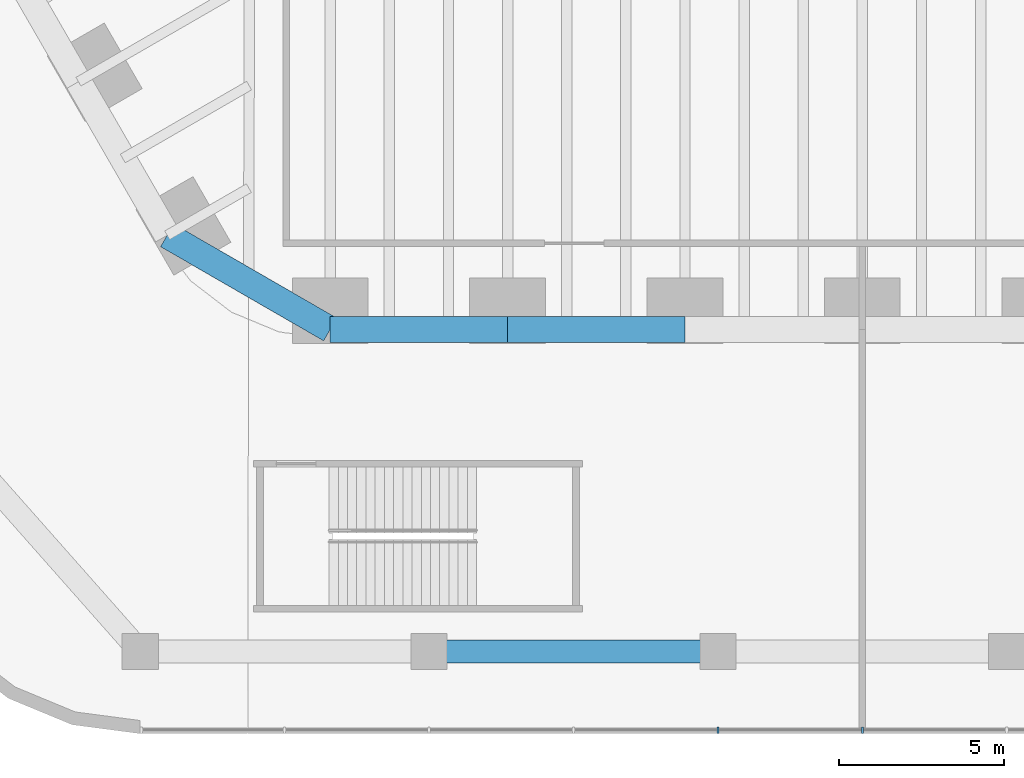
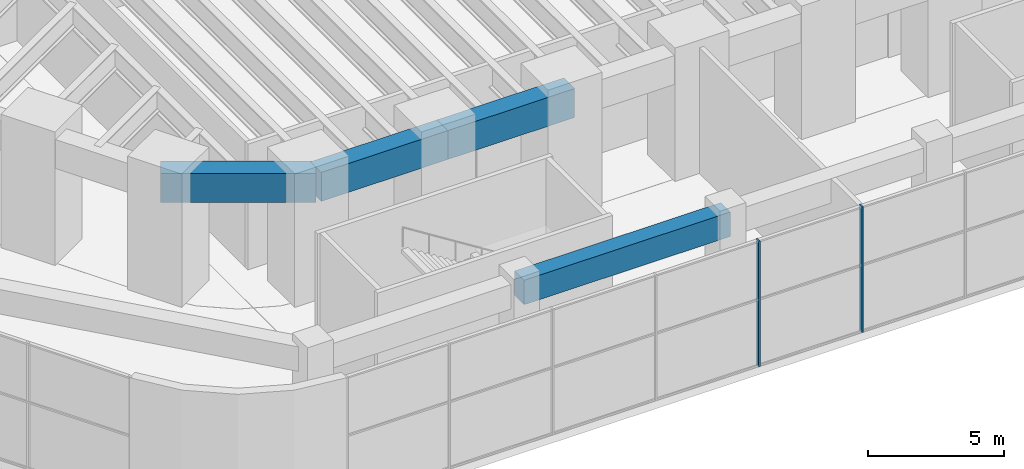
# One storey, part 5 of 31: 4 beams, 2 members, 1 element without a shape of its own.
"""IFC4 building model written with IfcOpenShell, lengths in metres."""

import ifcopenshell
import ifcopenshell.guid

model = None  # the IFC model being written
_history = None  # IfcOwnerHistory: only IFC2X3 demands one
_inside = {}  # id of a spatial element -> (the spatial element, [elements in it])
_under = {}  # id of a project, library or spatial element -> (it, [spatial elements below it])
_declared = {}  # id of a project -> (the project, [libraries it declares])
_typed = {}  # id of a type object -> (the type object, [elements of that type])
_made_of = {}  # id of a material, layer set ... -> (it, [elements and type objects made of it])


def new_model(schema):
    """Start an empty IFC model of exactly this schema.

    Asked for "IFC4X3", IfcOpenShell would pick the latest addendum, in which some entities
    have other attributes; the version numbers below select the first issue.
    IFC2X3 requires an IfcOwnerHistory on every rooted entity: one is made here for all.
    """
    global model, _history
    if schema == "IFC4X3":
        model = ifcopenshell.file(schema_version=(4, 3, 0, 0))
    else:
        model = ifcopenshell.file(schema=schema)
    _inside.clear()
    _under.clear()
    _declared.clear()
    _typed.clear()
    _made_of.clear()
    _history = None
    if model.schema == "IFC2X3":
        org = make("IfcOrganization", Name="unknown")
        user = make(
            "IfcPersonAndOrganization",
            ThePerson=make("IfcPerson", FamilyName="unknown"),
            TheOrganization=org,
        )
        app = make(
            "IfcApplication",
            ApplicationDeveloper=org,
            Version="unknown",
            ApplicationFullName="unknown",
            ApplicationIdentifier="unknown",
        )
        _history = make(
            "IfcOwnerHistory",
            OwningUser=user,
            OwningApplication=app,
            ChangeAction="ADDED",
            CreationDate=0,
        )
    return model


def make(cls, **values):
    """One entity of the class cls with the attributes given. An attribute that is None is left unset."""
    return model.create_entity(
        cls, **{name: value for name, value in values.items() if value is not None}
    )


def rooted(cls, **values):
    """An entity with a GlobalId (a new one), such as an element, a storey or a relation."""
    return make(cls, GlobalId=ifcopenshell.guid.new(), OwnerHistory=_history, **values)


def si_unit(unit_type, name, prefix=None):
    """IfcSIUnit, for example si_unit("LENGTHUNIT", "METRE", prefix="MILLI")."""
    return make("IfcSIUnit", UnitType=unit_type, Prefix=prefix, Name=name)


def assignment(units):
    """IfcUnitAssignment: the units of a project."""
    return None if units is None else make("IfcUnitAssignment", Units=units)


def point(xyz):
    """IfcCartesianPoint."""
    return None if xyz is None else make("IfcCartesianPoint", Coordinates=xyz)


def direction(xyz):
    """IfcDirection."""
    return None if xyz is None else make("IfcDirection", DirectionRatios=xyz)


def frame(location, z_axis=None, x_axis=None):
    """IfcAxis2Placement3D, a coordinate frame: its origin and axes. An axis left out is left unset."""
    return make(
        "IfcAxis2Placement3D",
        Location=point(location),
        Axis=direction(z_axis),
        RefDirection=direction(x_axis),
    )


def frame_2d(location, x_axis=None):
    """IfcAxis2Placement2D, a coordinate frame in the plane: its origin and x axis."""
    return make(
        "IfcAxis2Placement2D", Location=point(location), RefDirection=direction(x_axis)
    )


def origin():
    """The frame at (0, 0, 0) with its axes left unset."""
    return frame((0.0, 0.0, 0.0))


def origin_2d():
    """The frame at (0, 0) in the plane with its x axis left unset."""
    return frame_2d((0.0, 0.0))


def place(relative_to, where):
    """IfcLocalPlacement: puts the frame where relative to a parent placement (None: the world)."""
    return make(
        "IfcLocalPlacement", PlacementRelTo=relative_to, RelativePlacement=where
    )


def context(
    kind, dimensions, precision=None, world=None, true_north=None, identifier=None
):
    """IfcGeometricRepresentationContext, for example the 3D "Model" context."""
    return make(
        "IfcGeometricRepresentationContext",
        ContextIdentifier=identifier,
        ContextType=kind,
        CoordinateSpaceDimension=dimensions,
        Precision=precision,
        WorldCoordinateSystem=world,
        TrueNorth=true_north,
    )


def subcontext(parent, identifier, kind, view, scale=None):
    """IfcGeometricRepresentationSubContext, for example "Body" below "Model"."""
    return make(
        "IfcGeometricRepresentationSubContext",
        ContextIdentifier=identifier,
        ContextType=kind,
        ParentContext=parent,
        TargetScale=scale,
        TargetView=view,
    )


def project(units=None, contexts=None):
    """IfcProject with its units and contexts."""
    return rooted(
        "IfcProject",
        Name="project",
        RepresentationContexts=contexts,
        UnitsInContext=assignment(units),
    )


def spatial(cls, under=None, at=None, **own):
    """A site, building, storey or space (cls), placed at a placement, below another one or the project."""
    s = rooted(cls, ObjectPlacement=at, **own)
    if under is not None:
        _under.setdefault(under.id(), (under, []))[1].append(s)
    return s


def profile(cls, at=None, kind="AREA", **sizes):
    """A parametric profile (cls). Its sizes go by their IFC names, for example OverallWidth=200.0."""
    return make(cls, ProfileType=kind, Position=at, **sizes)


def rectangle(**sizes):
    """IfcRectangleProfileDef."""
    return profile("IfcRectangleProfileDef", **sizes)


def extrude(swept, where, along, depth):
    """IfcExtrudedAreaSolid: the profile swept, set in the frame where, extruded along a direction by depth."""
    return make(
        "IfcExtrudedAreaSolid",
        SweptArea=swept,
        Position=where,
        ExtrudedDirection=direction(along),
        Depth=depth,
    )


def shape(context_of_items, identifier, shape_type, items):
    """IfcShapeRepresentation: the items that make up one representation, for example the "Body"."""
    return make(
        "IfcShapeRepresentation",
        ContextOfItems=context_of_items,
        RepresentationIdentifier=identifier,
        RepresentationType=shape_type,
        Items=items,
    )


def material(Name=None, Category=None):
    """IfcMaterial."""
    return make("IfcMaterial", Name=Name, Category=Category)


def material_profile(
    of_material, cross_section, Name=None, Category=None, Priority=None
):
    """IfcMaterialProfile: a cross section and its material."""
    return make(
        "IfcMaterialProfile",
        Name=Name,
        Material=of_material,
        Profile=cross_section,
        Priority=Priority,
        Category=Category,
    )


def profile_set(profiles, Name=None, composite=None):
    """IfcMaterialProfileSet."""
    return make(
        "IfcMaterialProfileSet",
        Name=Name,
        MaterialProfiles=profiles,
        CompositeProfile=composite,
    )


def made_of(thing, what):
    """Note that an element or type object is made of a material, layer set ...; save() writes the relation."""
    if what is not None:
        _made_of.setdefault(what.id(), (what, []))[1].append(thing)
    return thing


def type_object(cls, material=None, **own):
    """A type object (cls), such as IfcWallType, which elements share."""
    return made_of(rooted(cls, **own), material)


def element(
    cls,
    number,
    at=None,
    inside=None,
    cuts=None,
    type_object=None,
    material=None,
    context=None,
    identifier="Body",
    shape_type=None,
    held_by="IfcProductDefinitionShape",
    body=None,
    shapes=None,
    **own,
):
    """One element of the class cls, such as IfcWall. Its Tag is "e" and its number.

    at: its placement. inside: the storey or other place that contains it. cuts: it is an
    opening in that element (IfcRelVoidsElement). A single representation is given by context,
    identifier, shape_type and body (its items); several are given by shapes. held_by: the class
    of the entity that holds the representations. save() writes the other relations.
    """
    e = rooted(cls, Tag="e%d" % number, ObjectPlacement=at, **own)
    if body is not None:
        shapes = [shape(context, identifier, shape_type, body)]
    if shapes is not None:
        e.Representation = make(held_by, Representations=shapes)
    if inside is not None:
        _inside.setdefault(inside.id(), (inside, []))[1].append(e)
    if cuts is not None:
        rooted(
            "IfcRelVoidsElement", RelatingBuildingElement=cuts, RelatedOpeningElement=e
        )
    if type_object is not None:
        _typed.setdefault(type_object.id(), (type_object, []))[1].append(e)
    return made_of(e, material)


def aggregate(whole, parts):
    """IfcRelAggregates: a whole, such as a stair, and the parts it consists of."""
    return rooted("IfcRelAggregates", RelatingObject=whole, RelatedObjects=parts)


def save(model, path):
    """Write the relations noted so far, then the file.

    IfcRelAggregates (storeys below a building ...), IfcRelContainedInSpatialStructure (elements
    in a storey), IfcRelDefinesByType, IfcRelAssociatesMaterial and IfcRelDeclares: one each for
    every whole, place, type object, material and project.
    """
    for whole, parts in _under.values():
        aggregate(whole, parts)
    for where, things in _inside.values():
        rooted(
            "IfcRelContainedInSpatialStructure",
            RelatedElements=things,
            RelatingStructure=where,
        )
    for kind, things in _typed.values():
        rooted("IfcRelDefinesByType", RelatedObjects=things, RelatingType=kind)
    for what, things in _made_of.values():
        rooted("IfcRelAssociatesMaterial", RelatedObjects=things, RelatingMaterial=what)
    for by, libraries in _declared.values():
        rooted("IfcRelDeclares", RelatingContext=by, RelatedDefinitions=libraries)
    model.write(path)


model = new_model("IFC4")

# Units and contexts
model_context = context("Model", 3, precision=1e-05, world=origin(), true_north=direction((0.0, 1.0)))
body_context = subcontext(model_context, "Body", "Model", "MODEL_VIEW")
ifc_project = project(units=[si_unit("LENGTHUNIT", "METRE"), si_unit("AREAUNIT", "SQUARE_METRE"), si_unit("VOLUMEUNIT", "CUBIC_METRE"), si_unit("PLANEANGLEUNIT", "RADIAN"), si_unit("MASSUNIT", "GRAM", prefix="KILO")], contexts=[model_context])

# Site, building, storey
site_placement = place(None, origin())
site = spatial("IfcSite", under=ifc_project, at=site_placement, CompositionType="ELEMENT")
building_placement = place(site_placement, origin())
building = spatial("IfcBuilding", under=site, at=building_placement, Name="Tarfa Lantern Tower", CompositionType="ELEMENT")
storey_placement = place(building_placement, frame((0.0, 0.0, 7.0)))
storey = spatial("IfcBuildingStorey", under=building, at=storey_placement, Name="L01", CompositionType="ELEMENT", Elevation=7.0)

# Curtain wall, members
ifc_material_1 = material(Name="Aluminium framed curtain wall", Category="aluminium")
curtain_wall_type = type_object("IfcCurtainWallType", Name="CW7 PODIUM GLAZING 5650", PredefinedType="USERDEFINED", material=ifc_material_1)
curtain_wall_placement = place(storey_placement, origin())
curtain_wall = element("IfcCurtainWall", 1, at=curtain_wall_placement, inside=storey, type_object=curtain_wall_type, Name="CW7 S L01", ObjectType="CURTAIN WALL", PredefinedType="USERDEFINED")
ifc_material_2 = material(Name="Aluminium mullion", Category="aluminium")
ifc_material_profile_1 = material_profile(ifc_material_2, rectangle(XDim=0.06494140625, YDim=0.199951171875, at=origin_2d()), Name="AL MULLION 65x200")
ifc_profile_set_1 = profile_set([ifc_material_profile_1], Name="Aluminium mullion")
member_type = type_object("IfcMemberType", Name="CWM1 MULLION 65x200", PredefinedType="MULLION", material=ifc_profile_set_1)
member_1_placement = place(storey_placement, frame((-4.387939453125, -45.89990234375, 0.0), z_axis=(0.0, 0.0, 1.0), x_axis=(1.0, 0.0, 0.0)))
member_1 = element("IfcMember", 2, at=member_1_placement, type_object=member_type, Name="CW7 mullion 5", PredefinedType="MULLION", context=body_context, shape_type="SweptSolid", body=[
    extrude(rectangle(XDim=0.06494140625, YDim=0.199951171875, at=origin_2d()), origin(), (0.0, 0.0, 1.0), 5.64990234375),
])
member_2_placement = place(storey_placement, frame((0.0, -45.89990234375, 0.0), z_axis=(0.0, 0.0, 1.0), x_axis=(1.0, 0.0, 0.0)))
member_2 = element("IfcMember", 3, at=member_2_placement, type_object=member_type, Name="CW7 mullion 6", PredefinedType="MULLION", context=body_context, shape_type="SweptSolid", body=[
    extrude(rectangle(XDim=0.06494140625, YDim=0.199951171875, at=origin_2d()), origin(), (0.0, 0.0, 1.0), 5.64990234375),
])
aggregate(curtain_wall, [member_1, member_2])

# Beams
ifc_material_3 = material(Name="Concrete C80/95", Category="concrete")
ifc_material_profile_2 = material_profile(ifc_material_3, rectangle(XDim=0.800048828125, YDim=1.300048828125, at=origin_2d()), Name="RC 800x1300")
ifc_profile_set_2 = profile_set([ifc_material_profile_2], Name="Concrete C80/95")
beam_type_1 = type_object("IfcBeamType", Name="EB1 RC 800x1300", PredefinedType="SPANDREL", material=ifc_profile_set_2)
beam_1_placement = place(storey_placement, frame((-21.119384765625, -30.860107421875, 5.0), z_axis=(0.866033479681, -0.499986011877, 0.0), x_axis=(0.499986011877, 0.866033479681, 0.0)))
element("IfcBeam", 4, at=beam_1_placement, inside=storey, type_object=beam_type_1, Name="Edge beam SW6", PredefinedType="SPANDREL", context=body_context, shape_type="SweptSolid", body=[
    extrude(rectangle(XDim=0.800048828125, YDim=1.300048828125, at=origin_2d()), origin(), (0.0, 0.0, 1.0), 5.719970703125),
])
beam_2_placement = place(storey_placement, frame((-16.165771484375, -33.719970703125, 5.0), z_axis=(1.0, 0.0, 0.0), x_axis=(0.0, 1.0, 0.0)))
element("IfcBeam", 5, at=beam_2_placement, inside=storey, type_object=beam_type_1, Name="Edge beam S0", PredefinedType="SPANDREL", context=body_context, shape_type="SweptSolid", body=[
    extrude(rectangle(XDim=0.800048828125, YDim=1.300048828125, at=origin_2d()), origin(), (0.0, 0.0, 1.0), 5.388671875),
])
beam_3_placement = place(storey_placement, frame((-10.777099609375, -33.719970703125, 5.0), z_axis=(1.0, 0.0, 0.0), x_axis=(0.0, 1.0, 0.0)))
element("IfcBeam", 6, at=beam_3_placement, inside=storey, type_object=beam_type_1, Name="Edge beam S1", PredefinedType="SPANDREL", context=body_context, shape_type="SweptSolid", body=[
    extrude(rectangle(XDim=0.800048828125, YDim=1.300048828125, at=origin_2d()), origin(), (0.0, 0.0, 1.0), 5.388427734375),
])
ifc_material_profile_3 = material_profile(ifc_material_3, rectangle(XDim=0.699951171875, YDim=1.10009765625, at=origin_2d()), Name="RC 700x1100")
ifc_profile_set_3 = profile_set([ifc_material_profile_3], Name="Concrete C80/95")
beam_type_2 = type_object("IfcBeamType", Name="PB1 RC 700x1100", PredefinedType="BEAM", material=ifc_profile_set_3)
beam_4_placement = place(storey_placement, frame((-13.16357421875, -43.5, 5.10009765625), z_axis=(1.0, 0.0, 0.0), x_axis=(0.0, 1.0, 0.0)))
element("IfcBeam", 7, at=beam_4_placement, inside=storey, type_object=beam_type_2, Name="Podium ring beam S1", PredefinedType="BEAM", context=body_context, shape_type="SweptSolid", body=[
    extrude(rectangle(XDim=0.699951171875, YDim=1.10009765625, at=origin_2d()), origin(), (0.0, 0.0, 1.0), 8.775634765625),
])

save(model, "model.ifc")
